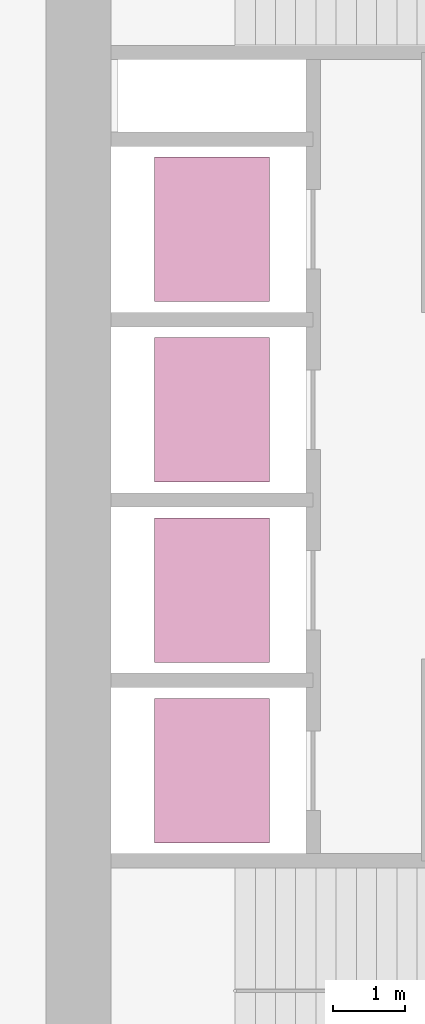
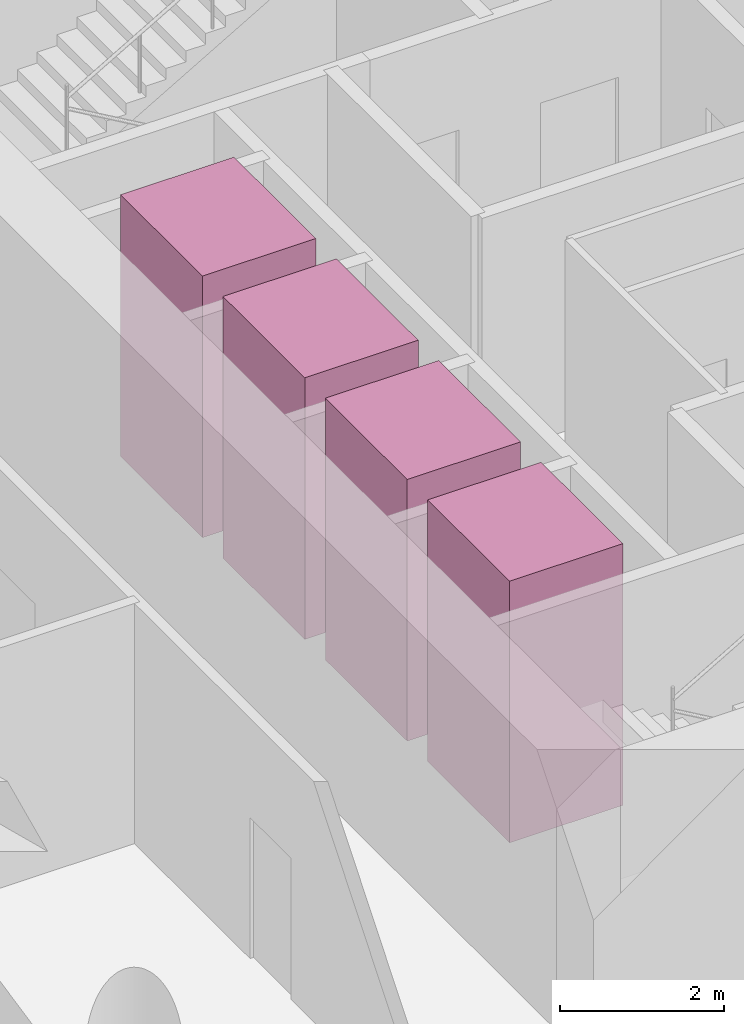
# One storey, part 10 of 10: 4 transport elements.
"""IFC4 building model written with IfcOpenShell, lengths in metres."""

import ifcopenshell
import ifcopenshell.guid

model = None  # the IFC model being written
_history = None  # IfcOwnerHistory: only IFC2X3 demands one
_inside = {}  # id of a spatial element -> (the spatial element, [elements in it])
_under = {}  # id of a project, library or spatial element -> (it, [spatial elements below it])
_declared = {}  # id of a project -> (the project, [libraries it declares])
_typed = {}  # id of a type object -> (the type object, [elements of that type])
_made_of = {}  # id of a material, layer set ... -> (it, [elements and type objects made of it])


def new_model(schema):
    """Start an empty IFC model of exactly this schema.

    Asked for "IFC4X3", IfcOpenShell would pick the latest addendum, in which some entities
    have other attributes; the version numbers below select the first issue.
    IFC2X3 requires an IfcOwnerHistory on every rooted entity: one is made here for all.
    """
    global model, _history
    if schema == "IFC4X3":
        model = ifcopenshell.file(schema_version=(4, 3, 0, 0))
    else:
        model = ifcopenshell.file(schema=schema)
    _inside.clear()
    _under.clear()
    _declared.clear()
    _typed.clear()
    _made_of.clear()
    _history = None
    if model.schema == "IFC2X3":
        org = make("IfcOrganization", Name="unknown")
        user = make(
            "IfcPersonAndOrganization",
            ThePerson=make("IfcPerson", FamilyName="unknown"),
            TheOrganization=org,
        )
        app = make(
            "IfcApplication",
            ApplicationDeveloper=org,
            Version="unknown",
            ApplicationFullName="unknown",
            ApplicationIdentifier="unknown",
        )
        _history = make(
            "IfcOwnerHistory",
            OwningUser=user,
            OwningApplication=app,
            ChangeAction="ADDED",
            CreationDate=0,
        )
    return model


def make(cls, **values):
    """One entity of the class cls with the attributes given. An attribute that is None is left unset."""
    return model.create_entity(
        cls, **{name: value for name, value in values.items() if value is not None}
    )


def rooted(cls, **values):
    """An entity with a GlobalId (a new one), such as an element, a storey or a relation."""
    return make(cls, GlobalId=ifcopenshell.guid.new(), OwnerHistory=_history, **values)


def si_unit(unit_type, name, prefix=None):
    """IfcSIUnit, for example si_unit("LENGTHUNIT", "METRE", prefix="MILLI")."""
    return make("IfcSIUnit", UnitType=unit_type, Prefix=prefix, Name=name)


def assignment(units):
    """IfcUnitAssignment: the units of a project."""
    return None if units is None else make("IfcUnitAssignment", Units=units)


def point(xyz):
    """IfcCartesianPoint."""
    return None if xyz is None else make("IfcCartesianPoint", Coordinates=xyz)


def direction(xyz):
    """IfcDirection."""
    return None if xyz is None else make("IfcDirection", DirectionRatios=xyz)


def frame(location, z_axis=None, x_axis=None):
    """IfcAxis2Placement3D, a coordinate frame: its origin and axes. An axis left out is left unset."""
    return make(
        "IfcAxis2Placement3D",
        Location=point(location),
        Axis=direction(z_axis),
        RefDirection=direction(x_axis),
    )


def frame_2d(location, x_axis=None):
    """IfcAxis2Placement2D, a coordinate frame in the plane: its origin and x axis."""
    return make(
        "IfcAxis2Placement2D", Location=point(location), RefDirection=direction(x_axis)
    )


def origin():
    """The frame at (0, 0, 0) with its axes left unset."""
    return frame((0.0, 0.0, 0.0))


def origin_2d():
    """The frame at (0, 0) in the plane with its x axis left unset."""
    return frame_2d((0.0, 0.0))


def place(relative_to, where):
    """IfcLocalPlacement: puts the frame where relative to a parent placement (None: the world)."""
    return make(
        "IfcLocalPlacement", PlacementRelTo=relative_to, RelativePlacement=where
    )


def context(
    kind, dimensions, precision=None, world=None, true_north=None, identifier=None
):
    """IfcGeometricRepresentationContext, for example the 3D "Model" context."""
    return make(
        "IfcGeometricRepresentationContext",
        ContextIdentifier=identifier,
        ContextType=kind,
        CoordinateSpaceDimension=dimensions,
        Precision=precision,
        WorldCoordinateSystem=world,
        TrueNorth=true_north,
    )


def subcontext(parent, identifier, kind, view, scale=None):
    """IfcGeometricRepresentationSubContext, for example "Body" below "Model"."""
    return make(
        "IfcGeometricRepresentationSubContext",
        ContextIdentifier=identifier,
        ContextType=kind,
        ParentContext=parent,
        TargetScale=scale,
        TargetView=view,
    )


def project(units=None, contexts=None):
    """IfcProject with its units and contexts."""
    return rooted(
        "IfcProject",
        Name="project",
        RepresentationContexts=contexts,
        UnitsInContext=assignment(units),
    )


def spatial(cls, under=None, at=None, **own):
    """A site, building, storey or space (cls), placed at a placement, below another one or the project."""
    s = rooted(cls, ObjectPlacement=at, **own)
    if under is not None:
        _under.setdefault(under.id(), (under, []))[1].append(s)
    return s


def profile(cls, at=None, kind="AREA", **sizes):
    """A parametric profile (cls). Its sizes go by their IFC names, for example OverallWidth=200.0."""
    return make(cls, ProfileType=kind, Position=at, **sizes)


def rectangle(**sizes):
    """IfcRectangleProfileDef."""
    return profile("IfcRectangleProfileDef", **sizes)


def extrude(swept, where, along, depth):
    """IfcExtrudedAreaSolid: the profile swept, set in the frame where, extruded along a direction by depth."""
    return make(
        "IfcExtrudedAreaSolid",
        SweptArea=swept,
        Position=where,
        ExtrudedDirection=direction(along),
        Depth=depth,
    )


def shape(context_of_items, identifier, shape_type, items):
    """IfcShapeRepresentation: the items that make up one representation, for example the "Body"."""
    return make(
        "IfcShapeRepresentation",
        ContextOfItems=context_of_items,
        RepresentationIdentifier=identifier,
        RepresentationType=shape_type,
        Items=items,
    )


def material(Name=None, Category=None):
    """IfcMaterial."""
    return make("IfcMaterial", Name=Name, Category=Category)


def made_of(thing, what):
    """Note that an element or type object is made of a material, layer set ...; save() writes the relation."""
    if what is not None:
        _made_of.setdefault(what.id(), (what, []))[1].append(thing)
    return thing


def type_object(cls, material=None, **own):
    """A type object (cls), such as IfcWallType, which elements share."""
    return made_of(rooted(cls, **own), material)


def element(
    cls,
    number,
    at=None,
    inside=None,
    cuts=None,
    type_object=None,
    material=None,
    context=None,
    identifier="Body",
    shape_type=None,
    held_by="IfcProductDefinitionShape",
    body=None,
    shapes=None,
    **own,
):
    """One element of the class cls, such as IfcWall. Its Tag is "e" and its number.

    at: its placement. inside: the storey or other place that contains it. cuts: it is an
    opening in that element (IfcRelVoidsElement). A single representation is given by context,
    identifier, shape_type and body (its items); several are given by shapes. held_by: the class
    of the entity that holds the representations. save() writes the other relations.
    """
    e = rooted(cls, Tag="e%d" % number, ObjectPlacement=at, **own)
    if body is not None:
        shapes = [shape(context, identifier, shape_type, body)]
    if shapes is not None:
        e.Representation = make(held_by, Representations=shapes)
    if inside is not None:
        _inside.setdefault(inside.id(), (inside, []))[1].append(e)
    if cuts is not None:
        rooted(
            "IfcRelVoidsElement", RelatingBuildingElement=cuts, RelatedOpeningElement=e
        )
    if type_object is not None:
        _typed.setdefault(type_object.id(), (type_object, []))[1].append(e)
    return made_of(e, material)


def aggregate(whole, parts):
    """IfcRelAggregates: a whole, such as a stair, and the parts it consists of."""
    return rooted("IfcRelAggregates", RelatingObject=whole, RelatedObjects=parts)


def save(model, path):
    """Write the relations noted so far, then the file.

    IfcRelAggregates (storeys below a building ...), IfcRelContainedInSpatialStructure (elements
    in a storey), IfcRelDefinesByType, IfcRelAssociatesMaterial and IfcRelDeclares: one each for
    every whole, place, type object, material and project.
    """
    for whole, parts in _under.values():
        aggregate(whole, parts)
    for where, things in _inside.values():
        rooted(
            "IfcRelContainedInSpatialStructure",
            RelatedElements=things,
            RelatingStructure=where,
        )
    for kind, things in _typed.values():
        rooted("IfcRelDefinesByType", RelatedObjects=things, RelatingType=kind)
    for what, things in _made_of.values():
        rooted("IfcRelAssociatesMaterial", RelatedObjects=things, RelatingMaterial=what)
    for by, libraries in _declared.values():
        rooted("IfcRelDeclares", RelatingContext=by, RelatedDefinitions=libraries)
    model.write(path)


model = new_model("IFC4")

# Units and contexts
model_context = context("Model", 3, precision=1e-05, world=origin(), true_north=direction((0.0, 1.0)))
body_context = subcontext(model_context, "Body", "Model", "MODEL_VIEW")
ifc_project = project(units=[si_unit("LENGTHUNIT", "METRE"), si_unit("AREAUNIT", "SQUARE_METRE"), si_unit("VOLUMEUNIT", "CUBIC_METRE"), si_unit("PLANEANGLEUNIT", "RADIAN"), si_unit("MASSUNIT", "GRAM", prefix="KILO")], contexts=[model_context])

# Site, building, storey
site_placement = place(None, origin())
site = spatial("IfcSite", under=ifc_project, at=site_placement, CompositionType="ELEMENT")
building_placement = place(site_placement, origin())
building = spatial("IfcBuilding", under=site, at=building_placement, Name="Qaws Garden Tower", CompositionType="ELEMENT")
storey_placement = place(building_placement, frame((0.0, 0.0, 101.699951171875)))
storey = spatial("IfcBuildingStorey", under=building, at=storey_placement, Name="L25", CompositionType="ELEMENT", Elevation=101.699951171875)

# Transport elements
ifc_material = material(Name="Stainless steel 316", Category="steel")
transport_element_type = type_object("IfcTransportElementType", Name="Passenger lift car 2000x1600 1800 kg", PredefinedType="ELEVATOR", material=ifc_material)
for number, where, z_axis, x_axis, name in (
    (1, (10.300048828125, 13.64990234375, 0.0), (0.0, 0.0, 1.0), (1.0, 0.0, 0.0), "LR1"),
    (2, (10.300048828125, 16.14990234375, 0.0), (0.0, 0.0, 1.0), (1.0, 0.0, 0.0), "LR2"),
    (3, (10.300048828125, 18.64990234375, 0.0), (0.0, 0.0, 1.0), (1.0, 0.0, 0.0), "LR3"),
    (4, (10.300048828125, 21.14990234375, 0.0), (0.0, 0.0, 1.0), (1.0, 0.0, 0.0), "LR4"),
):
    element("IfcTransportElement", number, at=place(storey_placement, frame(where, z_axis=z_axis, x_axis=x_axis)), inside=storey, type_object=transport_element_type, Name=name, PredefinedType="ELEVATOR", context=body_context, shape_type="SweptSolid", body=[
        extrude(rectangle(XDim=1.60009765625, YDim=2.0, at=origin_2d()), origin(), (0.0, 0.0, 1.0), 3.89990234375),
    ])

save(model, "model.ifc")
